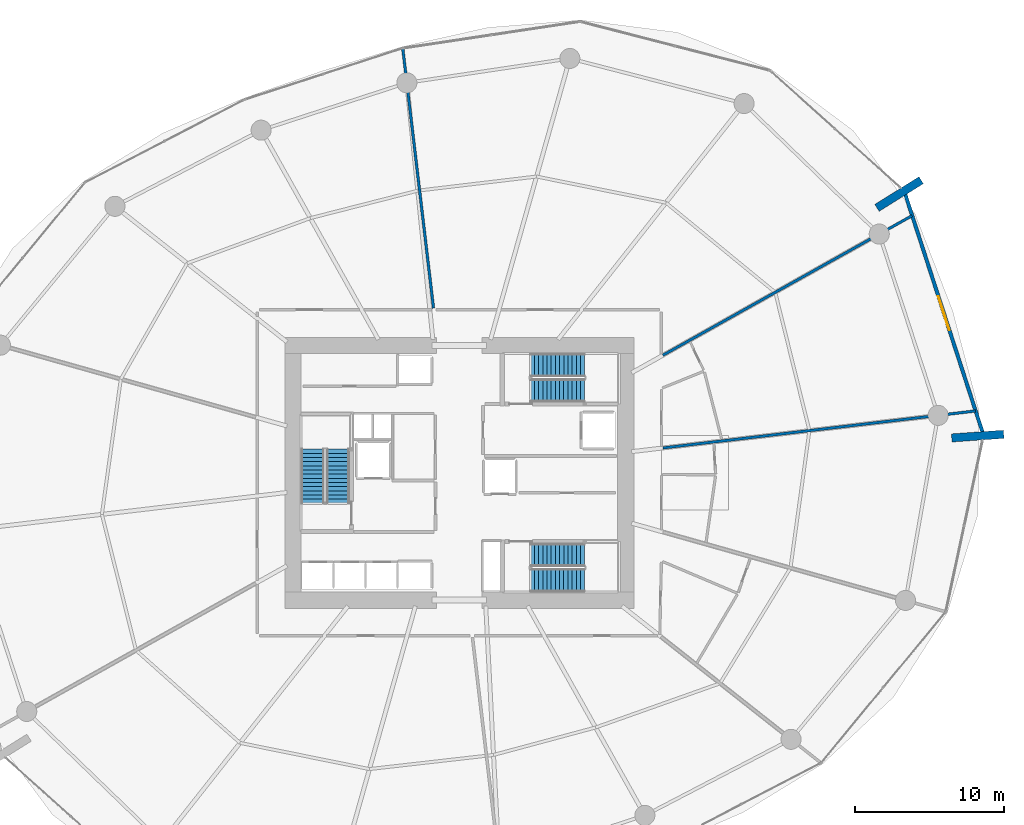
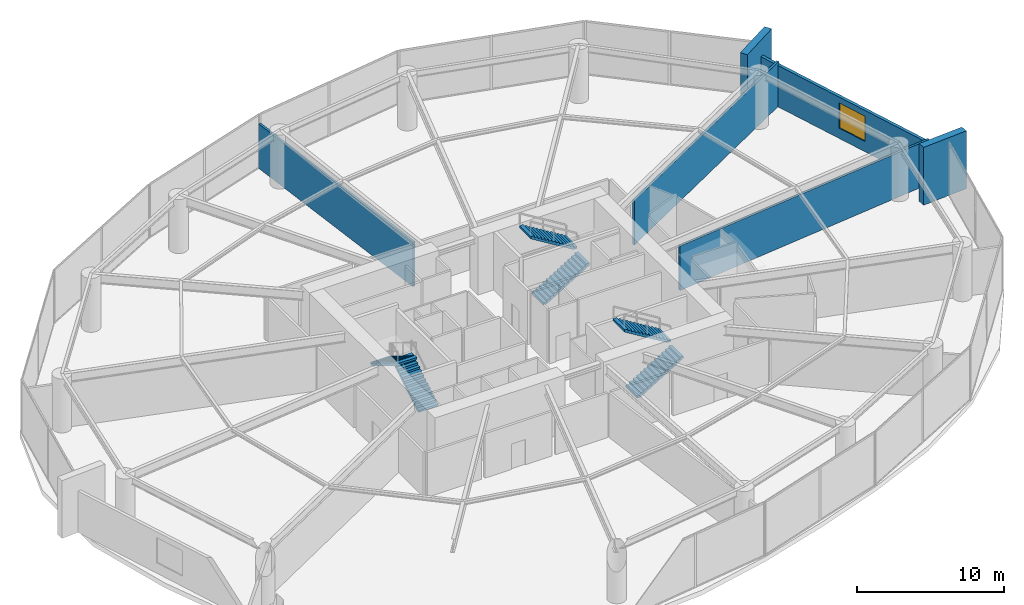
# One storey, part 20 of 22: 6 stair flights, 6 walls, 1 window, 1 opening, 3 elements without a shape of their own.
"""IFC4 building model written with IfcOpenShell, lengths in metres."""

from ifc_helpers import new_model, si_unit, direction, frame, frame_2d, origin, place, context, subcontext, project, spatial, polyline, rectangle, outline, extrude, material, layer, layer_set, type_object, element, fill, aggregate, save


model = new_model("IFC4")

# Units and contexts
model_context = context("Model", 3, precision=1e-05, world=origin(), true_north=direction((0.0, 1.0)))
body_context = subcontext(model_context, "Body", "Model", "MODEL_VIEW")
ifc_project = project(units=[si_unit("LENGTHUNIT", "METRE"), si_unit("AREAUNIT", "SQUARE_METRE"), si_unit("VOLUMEUNIT", "CUBIC_METRE"), si_unit("PLANEANGLEUNIT", "RADIAN"), si_unit("MASSUNIT", "GRAM", prefix="KILO")], contexts=[model_context])

# Site, building, storey
site_placement = place(None, origin())
site = spatial("IfcSite", under=ifc_project, at=site_placement, CompositionType="ELEMENT")
building_placement = place(site_placement, origin())
building = spatial("IfcBuilding", under=site, at=building_placement, Name="Kazma Halo Residences", CompositionType="ELEMENT")
storey_placement = place(building_placement, frame((0.0, 0.0, 7.199951171875)))
storey = spatial("IfcBuildingStorey", under=building, at=storey_placement, Name="L01", CompositionType="ELEMENT", Elevation=7.199951171875)

# Walls
ifc_material_1 = material(Name="Pale Concrete C60/75", Category="concrete")
ifc_layer_1 = layer(ifc_material_1, 0.550048828125)
ifc_layer_set_1 = layer_set([ifc_layer_1], Name="Pale Concrete C60/75")
wall_type_1 = type_object("IfcWallType", Name="WL-BLADE-550", PredefinedType="SOLIDWALL", material=ifc_layer_set_1)
for number, where, z_axis, x_axis, name in (
    (1, (76.481201171875, 59.797119140625, 0.0), (0.0, 0.0, 1.0), (0.848053161125, 0.529911158502, 0.0), "L01 pale concrete structural blade fin wall BW-01"),
    (2, (81.502685546875, 44.3427734375, 0.0), (0.0, 0.0, 1.0), (0.997564163539, 0.069754853754, 0.0), "L01 pale concrete structural blade fin wall BW-04"),
):
    element("IfcWall", number, at=place(storey_placement, frame(where, z_axis=z_axis, x_axis=x_axis)), inside=storey, type_object=wall_type_1, Name=name, PredefinedType="SOLIDWALL", context=body_context, shape_type="SweptSolid", body=[
        extrude(rectangle(XDim=3.5, YDim=0.550048828125, at=frame_2d((1.75, 0.0))), origin(), (0.0, 0.0, 1.0), 4.800048828125),
    ])
ifc_material_2 = material(Name="Acoustic Twin-Stud Gypsum")
ifc_layer_2 = layer(ifc_material_2, 0.179931640625)
ifc_layer_set_2 = layer_set([ifc_layer_2], Name="Acoustic Twin-Stud Gypsum")
wall_type_2 = type_object("IfcWallType", Name="WL-DEM-180", PredefinedType="PARTITIONING", material=ifc_layer_set_2)
wall_1_placement = place(storey_placement, frame((62.095947265625, 49.89404296875, 0.0), z_axis=(0.0, 0.0, 1.0), x_axis=(0.872490608205, 0.488630881744, 0.0)))
element("IfcWall", 3, at=wall_1_placement, inside=storey, type_object=wall_type_2, Name="L01 radial partition wall 00", PredefinedType="PARTITIONING", context=body_context, shape_type="SweptSolid", body=[
    extrude(rectangle(XDim=19.184814453125, YDim=0.179931640625, at=frame_2d((9.59228515625, 0.0))), origin(), (0.0, 0.0, 1.0), 3.693115234375),
])
wall_2_placement = place(storey_placement, frame((46.691162109375, 53.05908203125, 0.0), z_axis=(0.0, 0.0, 1.0), x_axis=(-0.117547531601, 0.993067257448, 0.0)))
element("IfcWall", 4, at=wall_2_placement, inside=storey, type_object=wall_type_2, Name="L01 radial partition wall 03", PredefinedType="PARTITIONING", context=body_context, shape_type="SweptSolid", body=[
    extrude(rectangle(XDim=17.548095703125, YDim=0.179931640625, at=frame_2d((8.77392578125, 0.0))), origin(), (0.0, 0.0, 1.0), 3.693115234375),
])
wall_3_placement = place(storey_placement, frame((62.109130859375, 43.669921875, 0.0), z_axis=(0.0, 0.0, 1.0), x_axis=(0.993068665713, 0.117535633659, 0.0)))
element("IfcWall", 5, at=wall_3_placement, inside=storey, type_object=wall_type_2, Name="L01 radial partition wall 15", PredefinedType="PARTITIONING", context=body_context, shape_type="SweptSolid", body=[
    extrude(rectangle(XDim=21.133056640625, YDim=0.179931640625, at=frame_2d((10.56640625, 0.0))), origin(), (0.0, 0.0, 1.0), 3.693115234375),
])

# Wall, opening, window
ifc_material_3 = material(Name="Insulated Pale-Metal Composite Wall")
ifc_layer_3 = layer(ifc_material_3, 0.239990234375)
ifc_layer_set_3 = layer_set([ifc_layer_3], Name="Insulated Pale-Metal Composite Wall")
wall_type_3 = type_object("IfcWallType", Name="WL-EXT-HOST-240", PredefinedType="SOLIDWALL", material=ifc_layer_set_3)
wall_4_placement = place(storey_placement, frame((83.57275390625, 44.724609375, 0.0), z_axis=(0.0, 0.0, 1.0), x_axis=(-0.309022005354, 0.951054888115, 0.0)))
wall_4 = element("IfcWall", 6, at=wall_4_placement, inside=storey, type_object=wall_type_3, Name="L01 podium end wall B16", PredefinedType="SOLIDWALL", context=body_context, shape_type="SweptSolid", body=[
    extrude(rectangle(XDim=16.802734375, YDim=0.239990234375, at=frame_2d((8.4013671875, 0.0))), origin(), (0.0, 0.0, 1.0), 3.429931640625),
])
opening_placement = place(wall_4_placement, frame((7.201171875, 0.0, 0.85009765625)))
opening = element("IfcOpeningElement", 7, at=opening_placement, cuts=wall_4, Name="Opening W-2400", PredefinedType="OPENING", context=body_context, shape_type="SweptSolid", body=[
    extrude(rectangle(XDim=2.39990234375, YDim=2.10009765625, at=frame_2d((1.199951171875, 1.050048828125))), frame((0.0, 0.1298828125, 0.0), z_axis=(0.0, -1.0, 0.0), x_axis=(1.0, 0.0, 0.0)), (0.0, 0.0, 1.0), 0.260009765625),
])
ifc_material_4 = material(Name="Clear Triple-Silver Low-E Glass in Aluminium AW-6063 T6 Frame", Category="aluminium")
window_type = type_object("IfcWindowType", Name="WIN-POD-2400", PartitioningType="DOUBLE_PANEL_VERTICAL", PredefinedType="WINDOW", material=ifc_material_4)
window_placement = place(opening_placement, origin())
window = element("IfcWindow", 8, at=window_placement, inside=storey, type_object=window_type, Name="L01 podium vision window B16", OverallHeight=2.10009765625, OverallWidth=2.39990234375, PartitioningType="SINGLE_PANEL", PredefinedType="WINDOW", context=body_context, shape_type="SweptSolid", body=[
    extrude(rectangle(XDim=2.39990234375, YDim=2.10009765625, at=frame_2d((1.199951171875, 1.050048828125))), frame((0.0, 0.030029296875, 0.0), z_axis=(0.0, -1.0, 0.0), x_axis=(1.0, 0.0, 0.0)), (0.0, 0.0, 1.0), 0.06005859375),
])
fill(opening, window)

# Stair, stair flights
ifc_material_5 = material(Name="Concrete C50/60", Category="concrete")
stair_type = type_object("IfcStairType", Name="STR-POD", PredefinedType="HALF_TURN_STAIR", material=ifc_material_5)
stair_1_placement = place(storey_placement, origin())
stair_1 = element("IfcStair", 9, at=stair_1_placement, inside=storey, type_object=stair_type, Name="L01 Core exit stair ST-01", PredefinedType="HALF_TURN_STAIR")
stair_flight_type = type_object("IfcStairFlightType", Name="STR-POD-FLT", PredefinedType="STRAIGHT", material=ifc_material_5)
stair_flight_1_placement = place(storey_placement, frame((40.27490234375, 39.949951171875, 0.0), z_axis=(0.0, 0.0, 1.0), x_axis=(0.0, 1.0, 0.0)))
stair_flight_1 = element("IfcStairFlight", 10, at=stair_flight_1_placement, type_object=stair_flight_type, Name="ST-01 flight 1", NumberOfRisers=14, NumberOfTreads=13, PredefinedType="STRAIGHT", RiserHeight=0.171428571, TreadLength=0.28, context=body_context, shape_type="SweptSolid", body=[
    extrude(outline(polyline([(0.0, 0.0), (0.0, 0.17138671875), (0.280029296875, 0.17138671875), (0.280029296875, 0.3427734375), (0.56005859375, 0.3427734375), (0.56005859375, 0.514404296875), (0.840087890625, 0.514404296875), (0.840087890625, 0.685791015625), (1.1201171875, 0.685791015625), (1.1201171875, 0.857177734375), (1.39990234375, 0.857177734375), (1.39990234375, 1.028564453125), (1.679931640625, 1.028564453125), (1.679931640625, 1.199951171875), (1.9599609375, 1.199951171875), (1.9599609375, 1.371337890625), (2.239990234375, 1.371337890625), (2.239990234375, 1.54296875), (2.52001953125, 1.54296875), (2.52001953125, 1.71435546875), (2.800048828125, 1.71435546875), (2.800048828125, 1.8857421875), (3.080078125, 1.8857421875), (3.080078125, 2.05712890625), (3.360107421875, 2.05712890625), (3.360107421875, 2.228515625), (3.639892578125, 2.228515625), (3.639892578125, 2.39990234375), (3.639892578125, 2.052734375), (0.287109375, 0.0), (0.0, 0.0)])), frame((0.0, 0.77490234375, 0.0), z_axis=(0.0, -1.0, 0.0), x_axis=(1.0, 0.0, 0.0)), (0.0, 0.0, 1.0), 1.550048828125),
])
stair_flight_2_placement = place(storey_placement, frame((38.574951171875, 43.590087890625, 2.400146484375), z_axis=(0.0, 0.0, 1.0), x_axis=(0.0, -1.0, 0.0)))
stair_flight_2 = element("IfcStairFlight", 11, at=stair_flight_2_placement, type_object=stair_flight_type, Name="ST-01 flight 2", NumberOfRisers=14, NumberOfTreads=13, PredefinedType="STRAIGHT", RiserHeight=0.171428571, TreadLength=0.28, context=body_context, shape_type="SweptSolid", body=[
    extrude(outline(polyline([(0.0, 0.0), (0.0, 0.17138671875), (0.280029296875, 0.17138671875), (0.280029296875, 0.3427734375), (0.56005859375, 0.3427734375), (0.56005859375, 0.514404296875), (0.840087890625, 0.514404296875), (0.840087890625, 0.685791015625), (1.1201171875, 0.685791015625), (1.1201171875, 0.857177734375), (1.39990234375, 0.857177734375), (1.39990234375, 1.028564453125), (1.679931640625, 1.028564453125), (1.679931640625, 1.199951171875), (1.9599609375, 1.199951171875), (1.9599609375, 1.371337890625), (2.239990234375, 1.371337890625), (2.239990234375, 1.54296875), (2.52001953125, 1.54296875), (2.52001953125, 1.71435546875), (2.800048828125, 1.71435546875), (2.800048828125, 1.8857421875), (3.080078125, 1.8857421875), (3.080078125, 2.05712890625), (3.360107421875, 2.05712890625), (3.360107421875, 2.228515625), (3.639892578125, 2.228515625), (3.639892578125, 2.39990234375), (3.639892578125, 2.052734375), (0.287109375, 0.0), (0.0, 0.0)])), frame((0.0, 0.77490234375, 0.0), z_axis=(0.0, -1.0, 0.0), x_axis=(1.0, 0.0, 0.0)), (0.0, 0.0, 1.0), 1.550048828125),
])
aggregate(stair_1, [stair_flight_1, stair_flight_2])

stair_2_placement = place(storey_placement, origin())
stair_2 = element("IfcStair", 12, at=stair_2_placement, inside=storey, type_object=stair_type, Name="L01 Core exit stair ST-02", PredefinedType="HALF_TURN_STAIR")
stair_flight_3_placement = place(storey_placement, frame((53.199951171875, 47.52490234375, 0.0), z_axis=(0.0, 0.0, 1.0), x_axis=(1.0, 0.0, 0.0)))
stair_flight_3 = element("IfcStairFlight", 13, at=stair_flight_3_placement, type_object=stair_flight_type, Name="ST-02 flight 1", NumberOfRisers=14, NumberOfTreads=13, PredefinedType="STRAIGHT", RiserHeight=0.171428571, TreadLength=0.28, context=body_context, shape_type="SweptSolid", body=[
    extrude(outline(polyline([(0.0, 0.0), (0.0, 0.17138671875), (0.280029296875, 0.17138671875), (0.280029296875, 0.3427734375), (0.56005859375, 0.3427734375), (0.56005859375, 0.514404296875), (0.840087890625, 0.514404296875), (0.840087890625, 0.685791015625), (1.1201171875, 0.685791015625), (1.1201171875, 0.857177734375), (1.39990234375, 0.857177734375), (1.39990234375, 1.028564453125), (1.679931640625, 1.028564453125), (1.679931640625, 1.199951171875), (1.9599609375, 1.199951171875), (1.9599609375, 1.371337890625), (2.239990234375, 1.371337890625), (2.239990234375, 1.54296875), (2.52001953125, 1.54296875), (2.52001953125, 1.71435546875), (2.800048828125, 1.71435546875), (2.800048828125, 1.8857421875), (3.080078125, 1.8857421875), (3.080078125, 2.05712890625), (3.360107421875, 2.05712890625), (3.360107421875, 2.228515625), (3.639892578125, 2.228515625), (3.639892578125, 2.39990234375), (3.639892578125, 2.052734375), (0.287109375, 0.0), (0.0, 0.0)])), frame((0.0, 0.77490234375, 0.0), z_axis=(0.0, -1.0, 0.0), x_axis=(1.0, 0.0, 0.0)), (0.0, 0.0, 1.0), 1.550048828125),
])
stair_flight_4_placement = place(storey_placement, frame((56.840087890625, 49.22509765625, 2.400146484375), z_axis=(0.0, 0.0, 1.0), x_axis=(-1.0, 0.0, 0.0)))
stair_flight_4 = element("IfcStairFlight", 14, at=stair_flight_4_placement, type_object=stair_flight_type, Name="ST-02 flight 2", NumberOfRisers=14, NumberOfTreads=13, PredefinedType="STRAIGHT", RiserHeight=0.171428571, TreadLength=0.28, context=body_context, shape_type="SweptSolid", body=[
    extrude(outline(polyline([(0.0, 0.0), (0.0, 0.17138671875), (0.280029296875, 0.17138671875), (0.280029296875, 0.3427734375), (0.56005859375, 0.3427734375), (0.56005859375, 0.514404296875), (0.840087890625, 0.514404296875), (0.840087890625, 0.685791015625), (1.1201171875, 0.685791015625), (1.1201171875, 0.857177734375), (1.39990234375, 0.857177734375), (1.39990234375, 1.028564453125), (1.679931640625, 1.028564453125), (1.679931640625, 1.199951171875), (1.9599609375, 1.199951171875), (1.9599609375, 1.371337890625), (2.239990234375, 1.371337890625), (2.239990234375, 1.54296875), (2.52001953125, 1.54296875), (2.52001953125, 1.71435546875), (2.800048828125, 1.71435546875), (2.800048828125, 1.8857421875), (3.080078125, 1.8857421875), (3.080078125, 2.05712890625), (3.360107421875, 2.05712890625), (3.360107421875, 2.228515625), (3.639892578125, 2.228515625), (3.639892578125, 2.39990234375), (3.639892578125, 2.052734375), (0.287109375, 0.0), (0.0, 0.0)])), frame((0.0, 0.77490234375, 0.0), z_axis=(0.0, -1.0, 0.0), x_axis=(1.0, 0.0, 0.0)), (0.0, 0.0, 1.0), 1.550048828125),
])
aggregate(stair_2, [stair_flight_3, stair_flight_4])

stair_3_placement = place(storey_placement, origin())
stair_3 = element("IfcStair", 15, at=stair_3_placement, inside=storey, type_object=stair_type, Name="L01 Core exit stair ST-03", PredefinedType="HALF_TURN_STAIR")
stair_flight_5_placement = place(storey_placement, frame((53.199951171875, 34.77490234375, 0.0), z_axis=(0.0, 0.0, 1.0), x_axis=(1.0, 0.0, 0.0)))
stair_flight_5 = element("IfcStairFlight", 16, at=stair_flight_5_placement, type_object=stair_flight_type, Name="ST-03 flight 1", NumberOfRisers=14, NumberOfTreads=13, PredefinedType="STRAIGHT", RiserHeight=0.171428571, TreadLength=0.28, context=body_context, shape_type="SweptSolid", body=[
    extrude(outline(polyline([(0.0, 0.0), (0.0, 0.17138671875), (0.280029296875, 0.17138671875), (0.280029296875, 0.3427734375), (0.56005859375, 0.3427734375), (0.56005859375, 0.514404296875), (0.840087890625, 0.514404296875), (0.840087890625, 0.685791015625), (1.1201171875, 0.685791015625), (1.1201171875, 0.857177734375), (1.39990234375, 0.857177734375), (1.39990234375, 1.028564453125), (1.679931640625, 1.028564453125), (1.679931640625, 1.199951171875), (1.9599609375, 1.199951171875), (1.9599609375, 1.371337890625), (2.239990234375, 1.371337890625), (2.239990234375, 1.54296875), (2.52001953125, 1.54296875), (2.52001953125, 1.71435546875), (2.800048828125, 1.71435546875), (2.800048828125, 1.8857421875), (3.080078125, 1.8857421875), (3.080078125, 2.05712890625), (3.360107421875, 2.05712890625), (3.360107421875, 2.228515625), (3.639892578125, 2.228515625), (3.639892578125, 2.39990234375), (3.639892578125, 2.052734375), (0.287109375, 0.0), (0.0, 0.0)])), frame((0.0, 0.77490234375, 0.0), z_axis=(0.0, -1.0, 0.0), x_axis=(1.0, 0.0, 0.0)), (0.0, 0.0, 1.0), 1.550048828125),
])
stair_flight_6_placement = place(storey_placement, frame((56.840087890625, 36.47509765625, 2.400146484375), z_axis=(0.0, 0.0, 1.0), x_axis=(-1.0, 0.0, 0.0)))
stair_flight_6 = element("IfcStairFlight", 17, at=stair_flight_6_placement, type_object=stair_flight_type, Name="ST-03 flight 2", NumberOfRisers=14, NumberOfTreads=13, PredefinedType="STRAIGHT", RiserHeight=0.171428571, TreadLength=0.28, context=body_context, shape_type="SweptSolid", body=[
    extrude(outline(polyline([(0.0, 0.0), (0.0, 0.17138671875), (0.280029296875, 0.17138671875), (0.280029296875, 0.3427734375), (0.56005859375, 0.3427734375), (0.56005859375, 0.514404296875), (0.840087890625, 0.514404296875), (0.840087890625, 0.685791015625), (1.1201171875, 0.685791015625), (1.1201171875, 0.857177734375), (1.39990234375, 0.857177734375), (1.39990234375, 1.028564453125), (1.679931640625, 1.028564453125), (1.679931640625, 1.199951171875), (1.9599609375, 1.199951171875), (1.9599609375, 1.371337890625), (2.239990234375, 1.371337890625), (2.239990234375, 1.54296875), (2.52001953125, 1.54296875), (2.52001953125, 1.71435546875), (2.800048828125, 1.71435546875), (2.800048828125, 1.8857421875), (3.080078125, 1.8857421875), (3.080078125, 2.05712890625), (3.360107421875, 2.05712890625), (3.360107421875, 2.228515625), (3.639892578125, 2.228515625), (3.639892578125, 2.39990234375), (3.639892578125, 2.052734375), (0.287109375, 0.0), (0.0, 0.0)])), frame((0.0, 0.77490234375, 0.0), z_axis=(0.0, -1.0, 0.0), x_axis=(1.0, 0.0, 0.0)), (0.0, 0.0, 1.0), 1.550048828125),
])
aggregate(stair_3, [stair_flight_5, stair_flight_6])

save(model, "model.ifc")
